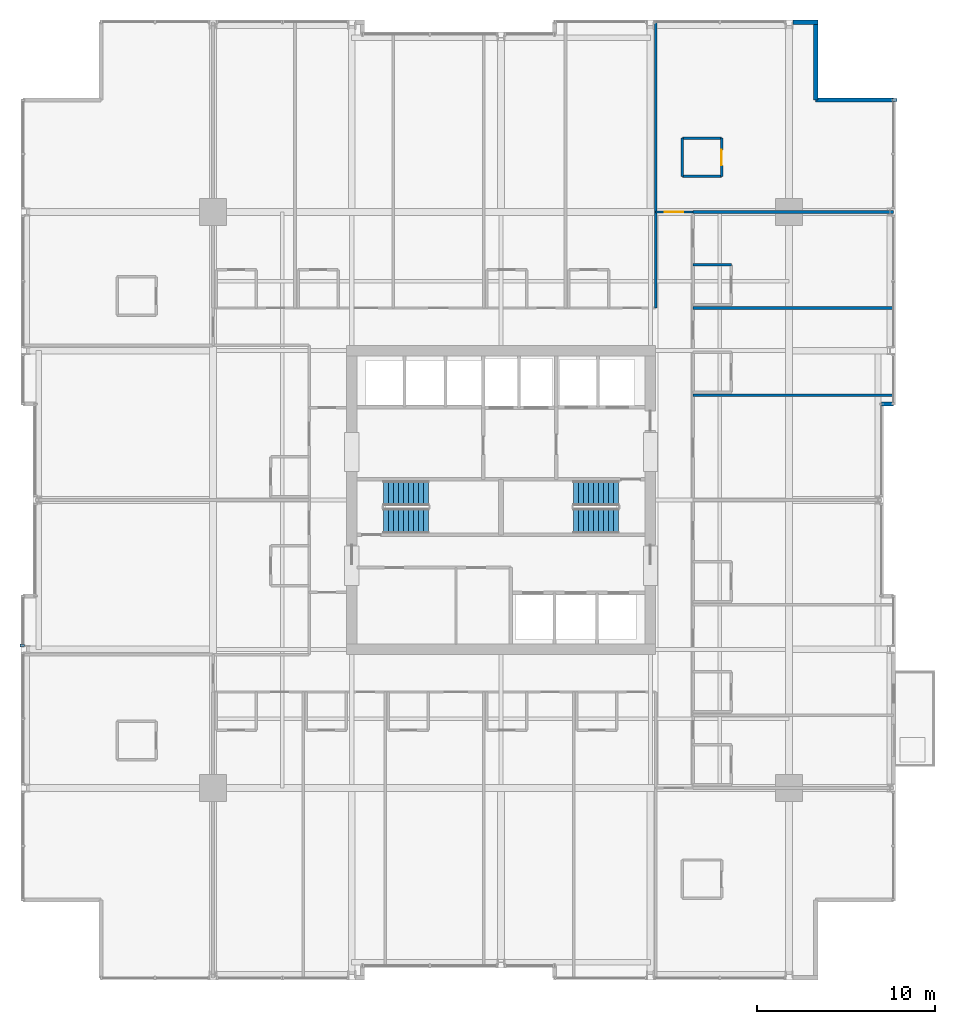
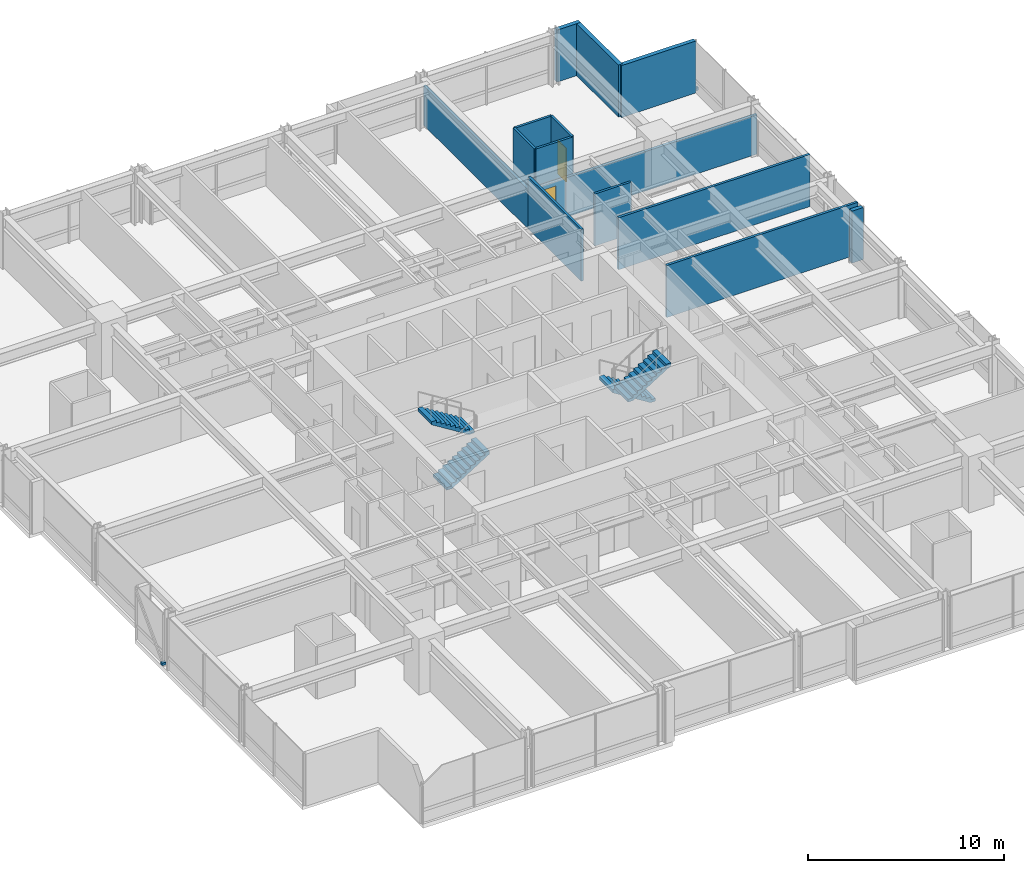
# One storey, part 32 of 35: 15 walls, 4 stair flights, 2 discrete accessories, 2 doors, 2 openings, 2 elements without a shape of their own.
"""IFC4 building model written with IfcOpenShell, lengths in metres."""

from ifc_helpers import new_model, si_unit, direction, frame, frame_2d, origin, origin_2d, place, context, subcontext, project, spatial, polyline, rectangle, outline, extrude, material, layer, layer_set, type_object, element, fill, aggregate, save


model = new_model("IFC4")

# Units and contexts
model_context = context("Model", 3, precision=1e-05, world=origin(), true_north=direction((0.0, 1.0)))
body_context = subcontext(model_context, "Body", "Model", "MODEL_VIEW")
ifc_project = project(units=[si_unit("LENGTHUNIT", "METRE"), si_unit("AREAUNIT", "SQUARE_METRE"), si_unit("VOLUMEUNIT", "CUBIC_METRE"), si_unit("PLANEANGLEUNIT", "RADIAN"), si_unit("MASSUNIT", "GRAM", prefix="KILO")], contexts=[model_context])

# Site, building, storey
site_placement = place(None, origin())
site = spatial("IfcSite", under=ifc_project, at=site_placement, CompositionType="ELEMENT")
building_placement = place(site_placement, origin())
building = spatial("IfcBuilding", under=site, at=building_placement, Name="Drelvath Grand Hotel", CompositionType="ELEMENT")
storey_placement = place(building_placement, frame((0.0, 0.0, 98.800048828125)))
storey = spatial("IfcBuildingStorey", under=building, at=storey_placement, Name="L24", CompositionType="ELEMENT", Elevation=98.800048828125)

# Wall
ifc_material_1 = material(Name="Gypsum Fireboard Partition")
ifc_layer_1 = layer(ifc_material_1, 0.135009765625)
ifc_layer_set_1 = layer_set([ifc_layer_1], Name="Gypsum Fireboard Partition")
wall_type_1 = type_object("IfcWallType", Name="Corridor Fire Barrier Wall 135", PredefinedType="PARTITIONING", material=ifc_layer_set_1)
wall_1_placement = place(storey_placement, frame((8.699951171875, 37.800048828125, 0.0), z_axis=(0.0, 0.0, 1.0), x_axis=(0.0, 1.0, 0.0)))
element("IfcWall", 1, at=wall_1_placement, inside=storey, type_object=wall_type_1, Name="L24 East Spine North Inner Wall", PredefinedType="PARTITIONING", context=body_context, shape_type="SweptSolid", body=[
    extrude(rectangle(XDim=5.39990234375, YDim=0.135009765625, at=frame_2d((2.699951171875, 0.0))), origin(), (0.0, 0.0, 1.0), 3.239990234375),
])

# Wall, opening, door
wall_2_placement = place(storey_placement, frame((8.699951171875, 43.199951171875, 0.0), z_axis=(0.0, 0.0, 1.0), x_axis=(1.0, 0.0, 0.0)))
wall_2 = element("IfcWall", 2, at=wall_2_placement, inside=storey, type_object=wall_type_1, Name="L24 East Spine North End", PredefinedType="PARTITIONING", context=body_context, shape_type="SweptSolid", body=[
    extrude(rectangle(XDim=2.10009765625, YDim=0.135009765625, at=frame_2d((1.050048828125, 0.0))), origin(), (0.0, 0.0, 1.0), 2.45166015625),
])
opening_1_placement = place(wall_2_placement, frame((0.52001953125, 0.0, 0.0)))
opening_1 = element("IfcOpeningElement", 3, at=opening_1_placement, cuts=wall_2, Name="Opening D-T2G1-026", PredefinedType="OPENING", context=body_context, shape_type="SweptSolid", body=[
    extrude(rectangle(XDim=1.02001953125, YDim=2.14990234375, at=frame_2d((0.510009765625, 1.074951171875))), frame((0.0, 0.077392578125, 0.0), z_axis=(0.0, -1.0, 0.0), x_axis=(1.0, 0.0, 0.0)), (0.0, 0.0, 1.0), 0.155029296875),
])
ifc_material_2 = material(Name="Hardwood Walnut Timber", Category="wood")
door_type_1 = type_object("IfcDoorType", Name="Amenity Meeting Fire Door 1020x2150", OperationType="NOTDEFINED", PredefinedType="DOOR", material=ifc_material_2)
door_1_placement = place(opening_1_placement, origin())
door_1 = element("IfcDoor", 4, at=door_1_placement, inside=storey, type_object=door_type_1, Name="L24 Corner Suite Entry Door", OperationType="SINGLE_SWING_LEFT", OverallHeight=2.14990234375, OverallWidth=1.02001953125, PredefinedType="DOOR", context=body_context, shape_type="SweptSolid", body=[
    extrude(rectangle(XDim=1.02001953125, YDim=2.14990234375, at=frame_2d((0.510009765625, 1.074951171875))), frame((0.0, 0.02490234375, 0.0), z_axis=(0.0, -1.0, 0.0), x_axis=(1.0, 0.0, 0.0)), (0.0, 0.0, 1.0), 0.050048828125),
])
fill(opening_1, door_1)

# Walls
ifc_material_3 = material(Name="Moisture-Resistant Gypsum Board")
ifc_layer_2 = layer(ifc_material_3, 0.139892578125)
ifc_layer_set_2 = layer_set([ifc_layer_2], Name="Moisture-Resistant Gypsum Board")
wall_type_2 = type_object("IfcWallType", Name="En-Suite Plumbing Wall 140", PredefinedType="PLUMBINGWALL", material=ifc_layer_set_2)
for number, where, z_axis, x_axis, name in (
    (5, (10.199951171875, 45.199951171875, 0.0), (0.0, 0.0, 1.0), (1.0, 0.0, 0.0), "L24 Corner En-Suite South"),
    (6, (10.199951171875, 47.35009765625, 0.0), (0.0, 0.0, 1.0), (1.0, 0.0, 0.0), "L24 Corner En-Suite North"),
):
    element("IfcWall", number, at=place(storey_placement, frame(where, z_axis=z_axis, x_axis=x_axis)), inside=storey, type_object=wall_type_2, Name=name, PredefinedType="PLUMBINGWALL", context=body_context, shape_type="SweptSolid", body=[
        extrude(rectangle(XDim=2.199951171875, YDim=0.139892578125, at=frame_2d((1.10009765625, 0.0))), origin(), (0.0, 0.0, 1.0), 3.239990234375),
    ])
wall_3_placement = place(storey_placement, frame((10.199951171875, 45.199951171875, 0.0), z_axis=(0.0, 0.0, 1.0), x_axis=(0.0, 1.0, 0.0)))
element("IfcWall", 7, at=wall_3_placement, inside=storey, type_object=wall_type_2, Name="L24 Corner En-Suite West", PredefinedType="PLUMBINGWALL", context=body_context, shape_type="SweptSolid", body=[
    extrude(rectangle(XDim=2.150146484375, YDim=0.139892578125, at=frame_2d((1.0751953125, 0.0))), origin(), (0.0, 0.0, 1.0), 3.239990234375),
])

# Wall, opening, door
wall_4_placement = place(storey_placement, frame((12.39990234375, 45.199951171875, 0.0), z_axis=(0.0, 0.0, 1.0), x_axis=(0.0, 1.0, 0.0)))
wall_4 = element("IfcWall", 8, at=wall_4_placement, inside=storey, type_object=wall_type_2, Name="L24 Corner En-Suite East", PredefinedType="PLUMBINGWALL", context=body_context, shape_type="SweptSolid", body=[
    extrude(rectangle(XDim=2.150146484375, YDim=0.139892578125, at=frame_2d((1.0751953125, 0.0))), origin(), (0.0, 0.0, 1.0), 3.239990234375),
])
opening_2_placement = place(wall_4_placement, frame((0.6201171875, 0.0, 0.0)))
opening_2 = element("IfcOpeningElement", 9, at=opening_2_placement, cuts=wall_4, Name="Opening D-T2G1-025", PredefinedType="OPENING", context=body_context, shape_type="SweptSolid", body=[
    extrude(rectangle(XDim=0.8798828125, YDim=2.10009765625, at=frame_2d((0.43994140625, 1.050048828125))), frame((0.0, 0.079833984375, 0.0), z_axis=(0.0, -1.0, 0.0), x_axis=(1.0, 0.0, 0.0)), (0.0, 0.0, 1.0), 0.159912109375),
])
door_type_2 = type_object("IfcDoorType", Name="En-Suite Bathroom Door 880x2100", OperationType="NOTDEFINED", PredefinedType="DOOR", material=ifc_material_2)
door_2_placement = place(opening_2_placement, origin())
door_2 = element("IfcDoor", 10, at=door_2_placement, inside=storey, type_object=door_type_2, Name="L24 Corner En-Suite Door", OperationType="SINGLE_SWING_RIGHT", OverallHeight=2.10009765625, OverallWidth=0.8798828125, PredefinedType="DOOR", context=body_context, shape_type="SweptSolid", body=[
    extrude(rectangle(XDim=0.8798828125, YDim=2.10009765625, at=frame_2d((0.43994140625, 1.050048828125))), frame((0.0, 0.02490234375, 0.0), z_axis=(0.0, -1.0, 0.0), x_axis=(1.0, 0.0, 0.0)), (0.0, 0.0, 1.0), 0.050048828125),
])
fill(opening_2, door_2)

# Walls
wall_5_placement = place(storey_placement, frame((10.800048828125, 40.22998046875, 0.0), z_axis=(0.0, 0.0, 1.0), x_axis=(1.0, 0.0, 0.0)))
element("IfcWall", 11, at=wall_5_placement, inside=storey, type_object=wall_type_2, Name="L24 En-Suite Right Wall", PredefinedType="PLUMBINGWALL", context=body_context, shape_type="SweptSolid", body=[
    extrude(rectangle(XDim=2.14990234375, YDim=0.139892578125, at=frame_2d((1.074951171875, 0.0))), origin(), (0.0, 0.0, 1.0), 3.239990234375),
])
ifc_material_4 = material(Name="Gypsum Acoustic Partition")
ifc_layer_3 = layer(ifc_material_4, 0.14990234375)
ifc_layer_set_3 = layer_set([ifc_layer_3], Name="Gypsum Acoustic Partition")
wall_type_3 = type_object("IfcWallType", Name="Guestroom Demising Wall 150", PredefinedType="PARTITIONING", material=ifc_layer_set_3)
for number, where, z_axis, x_axis, name in (
    (12, (10.800048828125, 32.890869140625, 0.0), (0.0, 0.0, 1.0), (1.0, 0.0, 0.0), "L24 East Demising 4"),
    (13, (10.800048828125, 37.800048828125, 0.0), (0.0, 0.0, 1.0), (1.0, 0.0, 0.0), "L24 East Demising 5"),
):
    element("IfcWall", number, at=place(storey_placement, frame(where, z_axis=z_axis, x_axis=x_axis)), inside=storey, type_object=wall_type_3, Name=name, PredefinedType="PARTITIONING", context=body_context, shape_type="SweptSolid", body=[
        extrude(rectangle(XDim=11.280029296875, YDim=0.14990234375, at=frame_2d((5.64013671875, 0.0))), origin(), (0.0, 0.0, 1.0), 3.239990234375),
    ])
ifc_layer_4 = layer(ifc_material_4, 0.1650390625)
ifc_layer_set_4 = layer_set([ifc_layer_4], Name="Gypsum Acoustic Partition")
wall_type_4 = type_object("IfcWallType", Name="Suite Demising Wall 165", PredefinedType="PARTITIONING", material=ifc_layer_set_4)
wall_6_placement = place(storey_placement, frame((8.699951171875, 43.199951171875, 0.0), z_axis=(0.0, 0.0, 1.0), x_axis=(0.0, 1.0, 0.0)))
element("IfcWall", 14, at=wall_6_placement, inside=storey, type_object=wall_type_4, Name="L24 NE Suite West Wall", PredefinedType="PARTITIONING", context=body_context, shape_type="SweptSolid", body=[
    extrude(rectangle(XDim=10.679931640625, YDim=0.1650390625, at=frame_2d((5.33984375, 0.0))), origin(), (0.0, 0.0, 1.0), 2.45166015625),
])
wall_7_placement = place(storey_placement, frame((10.800048828125, 43.199951171875, 0.0), z_axis=(0.0, 0.0, 1.0), x_axis=(1.0, 0.0, 0.0)))
element("IfcWall", 15, at=wall_7_placement, inside=storey, type_object=wall_type_4, Name="L24 NE Suite South Wall", PredefinedType="PARTITIONING", context=body_context, shape_type="SweptSolid", body=[
    extrude(rectangle(XDim=11.280029296875, YDim=0.1650390625, at=frame_2d((5.64013671875, 0.0))), origin(), (0.0, 0.0, 1.0), 2.45166015625),
])
ifc_material_5 = material(Name="Pale-Metal Insulated Aluminium Spandrel Assembly", Category="aluminium")
ifc_layer_5 = layer(ifc_material_5, 0.239990234375)
ifc_layer_set_5 = layer_set([ifc_layer_5], Name="Pale-Metal Insulated Aluminium Spandrel Assembly")
wall_type_5 = type_object("IfcWallType", Name="Tower Insulated Metal Spandrel Closure Wall 240", PredefinedType="STANDARD", material=ifc_layer_set_5)
wall_8_placement = place(storey_placement, frame((16.419677734375, 53.8798828125, 0.0), z_axis=(0.0, 0.0, 1.0), x_axis=(1.0, 0.0, 0.0)))
element("IfcWall", 16, at=wall_8_placement, inside=storey, type_object=wall_type_5, Name="L24 Corner Pier Spandrel Wall NE3", PredefinedType="STANDARD", context=body_context, shape_type="SweptSolid", body=[
    extrude(rectangle(XDim=1.400390625, YDim=0.239990234375, at=frame_2d((0.7001953125, 0.0))), origin(), (0.0, 0.0, 1.0), 3.239990234375),
])
wall_9_placement = place(storey_placement, frame((17.699951171875, 53.760009765625, 0.0), z_axis=(0.0, 0.0, 1.0), x_axis=(0.0, -1.0, 0.0)))
element("IfcWall", 17, at=wall_9_placement, inside=storey, type_object=wall_type_5, Name="L24 Notched Corner Return Spandrel Wall CNE1", PredefinedType="STANDARD", context=body_context, shape_type="SweptSolid", body=[
    extrude(rectangle(XDim=4.260009765625, YDim=0.239990234375, at=frame_2d((2.1298828125, 0.0))), origin(), (0.0, 0.0, 1.0), 3.239990234375),
])
wall_10_placement = place(storey_placement, frame((17.699951171875, 49.5, 0.0), z_axis=(0.0, 0.0, 1.0), x_axis=(1.0, 0.0, 0.0)))
element("IfcWall", 18, at=wall_10_placement, inside=storey, type_object=wall_type_5, Name="L24 Notched Corner Return Spandrel Wall CNE2", PredefinedType="STANDARD", context=body_context, shape_type="SweptSolid", body=[
    extrude(rectangle(XDim=4.380126953125, YDim=0.239990234375, at=frame_2d((2.18994140625, 0.0))), origin(), (0.0, 0.0, 1.0), 3.239990234375),
])
wall_11_placement = place(storey_placement, frame((22.080078125, 32.39990234375, 0.0), z_axis=(0.0, 0.0, 1.0), x_axis=(-1.0, 0.0, 0.0)))
element("IfcWall", 19, at=wall_11_placement, inside=storey, type_object=wall_type_5, Name="L24 Notched Corner Return Spandrel Wall RE1", PredefinedType="STANDARD", context=body_context, shape_type="SweptSolid", body=[
    extrude(rectangle(XDim=0.68017578125, YDim=0.239990234375, at=frame_2d((0.340087890625, 0.0))), origin(), (0.0, 0.0, 1.0), 3.239990234375),
])

# Stair, stair flights
ifc_material_6 = material(Name="Concrete C40/50", Category="concrete")
stair_type = type_object("IfcStairType", Name="Dogleg Exit Stair W1400-R175.0", PredefinedType="HALF_TURN_STAIR", material=ifc_material_6)
stair_1_placement = place(storey_placement, origin())
stair_1 = element("IfcStair", 20, at=stair_1_placement, inside=storey, type_object=stair_type, Name="L24 Core Exit Stair ST-1", PredefinedType="HALF_TURN_STAIR")
stair_flight_type = type_object("IfcStairFlightType", Name="Concrete Stair Flight W1400-R175.0", PredefinedType="STRAIGHT", material=ifc_material_6)
stair_flight_1_placement = place(storey_placement, frame((-6.60009765625, 25.820068359375, 0.0), z_axis=(0.0, 0.0, 1.0), x_axis=(1.0, 0.0, 0.0)))
stair_flight_1 = element("IfcStairFlight", 21, at=stair_flight_1_placement, type_object=stair_flight_type, Name="ST-1 flight 1", NumberOfRisers=10, NumberOfTreads=9, PredefinedType="STRAIGHT", RiserHeight=0.175, TreadLength=0.28, context=body_context, shape_type="SweptSolid", body=[
    extrude(outline(polyline([(0.0, 0.0), (0.0, 0.175048828125), (0.280029296875, 0.175048828125), (0.280029296875, 0.35009765625), (0.56005859375, 0.35009765625), (0.56005859375, 0.52490234375), (0.840087890625, 0.52490234375), (0.840087890625, 0.699951171875), (1.1201171875, 0.699951171875), (1.1201171875, 0.875), (1.39990234375, 0.875), (1.39990234375, 1.050048828125), (1.679931640625, 1.050048828125), (1.679931640625, 1.22509765625), (1.9599609375, 1.22509765625), (1.9599609375, 1.39990234375), (2.239990234375, 1.39990234375), (2.239990234375, 1.574951171875), (2.52001953125, 1.574951171875), (2.52001953125, 1.75), (2.52001953125, 1.386474609375), (0.3017578125, 0.0), (0.0, 0.0)])), frame((0.0, 0.699951171875, 0.0), z_axis=(0.0, -1.0, 0.0), x_axis=(1.0, 0.0, 0.0)), (0.0, 0.0, 1.0), 1.39990234375),
])
stair_flight_2_placement = place(storey_placement, frame((-4.080078125, 27.3798828125, 1.75), z_axis=(0.0, 0.0, 1.0), x_axis=(-1.0, 0.0, 0.0)))
stair_flight_2 = element("IfcStairFlight", 22, at=stair_flight_2_placement, type_object=stair_flight_type, Name="ST-1 flight 2", NumberOfRisers=10, NumberOfTreads=9, PredefinedType="STRAIGHT", RiserHeight=0.175, TreadLength=0.28, context=body_context, shape_type="SweptSolid", body=[
    extrude(outline(polyline([(0.0, 0.0), (0.0, 0.175048828125), (0.280029296875, 0.175048828125), (0.280029296875, 0.35009765625), (0.56005859375, 0.35009765625), (0.56005859375, 0.52490234375), (0.840087890625, 0.52490234375), (0.840087890625, 0.699951171875), (1.1201171875, 0.699951171875), (1.1201171875, 0.875), (1.39990234375, 0.875), (1.39990234375, 1.050048828125), (1.679931640625, 1.050048828125), (1.679931640625, 1.22509765625), (1.9599609375, 1.22509765625), (1.9599609375, 1.39990234375), (2.239990234375, 1.39990234375), (2.239990234375, 1.574951171875), (2.52001953125, 1.574951171875), (2.52001953125, 1.75), (2.52001953125, 1.386474609375), (0.3017578125, 0.0), (0.0, 0.0)])), frame((0.0, 0.699951171875, 0.0), z_axis=(0.0, -1.0, 0.0), x_axis=(1.0, 0.0, 0.0)), (0.0, 0.0, 1.0), 1.39990234375),
])
aggregate(stair_1, [stair_flight_1, stair_flight_2])

stair_2_placement = place(storey_placement, origin())
stair_2 = element("IfcStair", 23, at=stair_2_placement, inside=storey, type_object=stair_type, Name="L24 Core Exit Stair ST-2", PredefinedType="HALF_TURN_STAIR")
stair_flight_3_placement = place(storey_placement, frame((6.60009765625, 27.3798828125, 0.0), z_axis=(0.0, 0.0, 1.0), x_axis=(-1.0, 0.0, 0.0)))
stair_flight_3 = element("IfcStairFlight", 24, at=stair_flight_3_placement, type_object=stair_flight_type, Name="ST-2 flight 1", NumberOfRisers=10, NumberOfTreads=9, PredefinedType="STRAIGHT", RiserHeight=0.175, TreadLength=0.28, context=body_context, shape_type="SweptSolid", body=[
    extrude(outline(polyline([(0.0, 0.0), (0.0, 0.175048828125), (0.280029296875, 0.175048828125), (0.280029296875, 0.35009765625), (0.56005859375, 0.35009765625), (0.56005859375, 0.52490234375), (0.840087890625, 0.52490234375), (0.840087890625, 0.699951171875), (1.1201171875, 0.699951171875), (1.1201171875, 0.875), (1.39990234375, 0.875), (1.39990234375, 1.050048828125), (1.679931640625, 1.050048828125), (1.679931640625, 1.22509765625), (1.9599609375, 1.22509765625), (1.9599609375, 1.39990234375), (2.239990234375, 1.39990234375), (2.239990234375, 1.574951171875), (2.52001953125, 1.574951171875), (2.52001953125, 1.75), (2.52001953125, 1.386474609375), (0.3017578125, 0.0), (0.0, 0.0)])), frame((0.0, 0.699951171875, 0.0), z_axis=(0.0, -1.0, 0.0), x_axis=(1.0, 0.0, 0.0)), (0.0, 0.0, 1.0), 1.39990234375),
])
stair_flight_4_placement = place(storey_placement, frame((4.080078125, 25.820068359375, 1.75), z_axis=(0.0, 0.0, 1.0), x_axis=(1.0, 0.0, 0.0)))
stair_flight_4 = element("IfcStairFlight", 25, at=stair_flight_4_placement, type_object=stair_flight_type, Name="ST-2 flight 2", NumberOfRisers=10, NumberOfTreads=9, PredefinedType="STRAIGHT", RiserHeight=0.175, TreadLength=0.28, context=body_context, shape_type="SweptSolid", body=[
    extrude(outline(polyline([(0.0, 0.0), (0.0, 0.175048828125), (0.280029296875, 0.175048828125), (0.280029296875, 0.35009765625), (0.56005859375, 0.35009765625), (0.56005859375, 0.52490234375), (0.840087890625, 0.52490234375), (0.840087890625, 0.699951171875), (1.1201171875, 0.699951171875), (1.1201171875, 0.875), (1.39990234375, 0.875), (1.39990234375, 1.050048828125), (1.679931640625, 1.050048828125), (1.679931640625, 1.22509765625), (1.9599609375, 1.22509765625), (1.9599609375, 1.39990234375), (2.239990234375, 1.39990234375), (2.239990234375, 1.574951171875), (2.52001953125, 1.574951171875), (2.52001953125, 1.75), (2.52001953125, 1.386474609375), (0.3017578125, 0.0), (0.0, 0.0)])), frame((0.0, 0.699951171875, 0.0), z_axis=(0.0, -1.0, 0.0), x_axis=(1.0, 0.0, 0.0)), (0.0, 0.0, 1.0), 1.39990234375),
])
aggregate(stair_2, [stair_flight_3, stair_flight_4])

# Discrete accessories
ifc_material_7 = material(Name="Stainless Steel Grade 316", Category="steel")
discrete_accessory_type = type_object("IfcDiscreteAccessoryType", Name="Curtain Wall Fin Mounting Bracket Cleat", PredefinedType="BRACKET", material=ifc_material_7)
for number, where, z_axis, x_axis, name in (
    (26, (-26.93994140625, 18.819580078125, 0.10009765625), (0.0, 0.0, 1.0), (0.0, 1.0, 0.0), "L24 Fin Mounting Bracket CW03-L24-WS3-1"),
    (27, (22.139892578125, 49.5, 0.10009765625), (0.0, 0.0, 1.0), (0.0, -1.0, 0.0), "L24 Fin Mounting Bracket CW03-L24-EN3-1"),
):
    element("IfcDiscreteAccessory", number, at=place(storey_placement, frame(where, z_axis=z_axis, x_axis=x_axis)), inside=storey, type_object=discrete_accessory_type, Name=name, PredefinedType="BRACKET", context=body_context, shape_type="SweptSolid", body=[
        extrude(rectangle(XDim=0.159912109375, YDim=0.239990234375, at=origin_2d()), origin(), (0.0, 0.0, 1.0), 0.159912109375),
    ])

save(model, "model.ifc")
